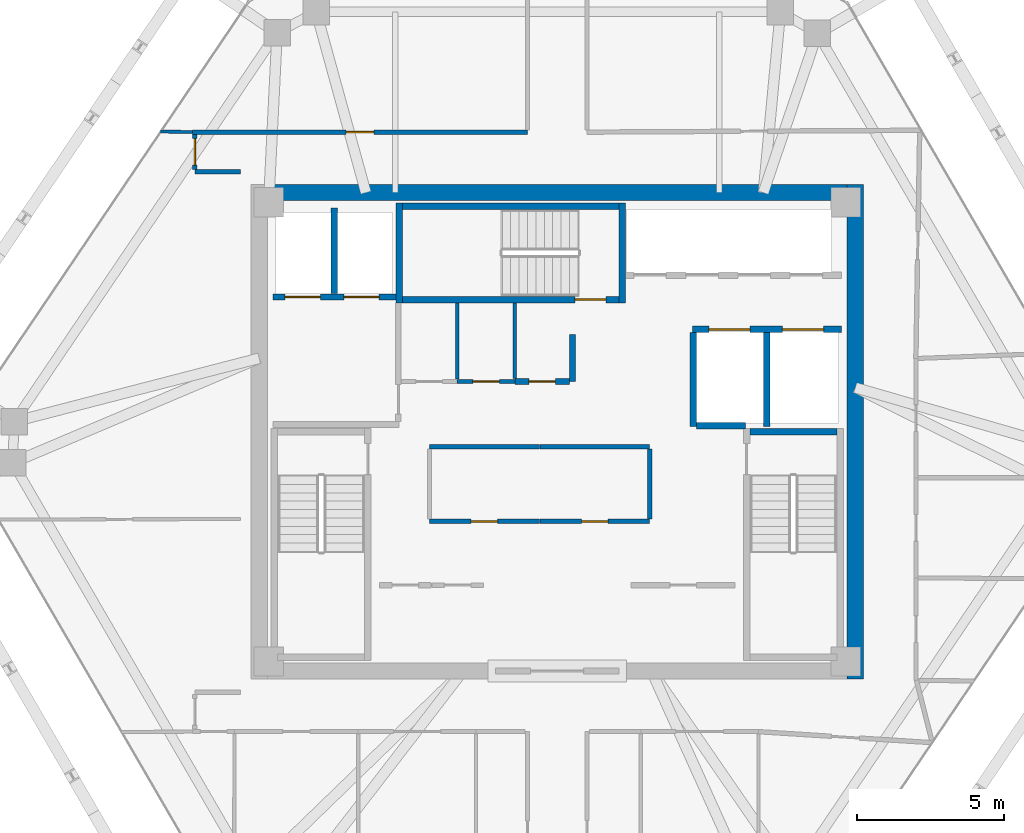
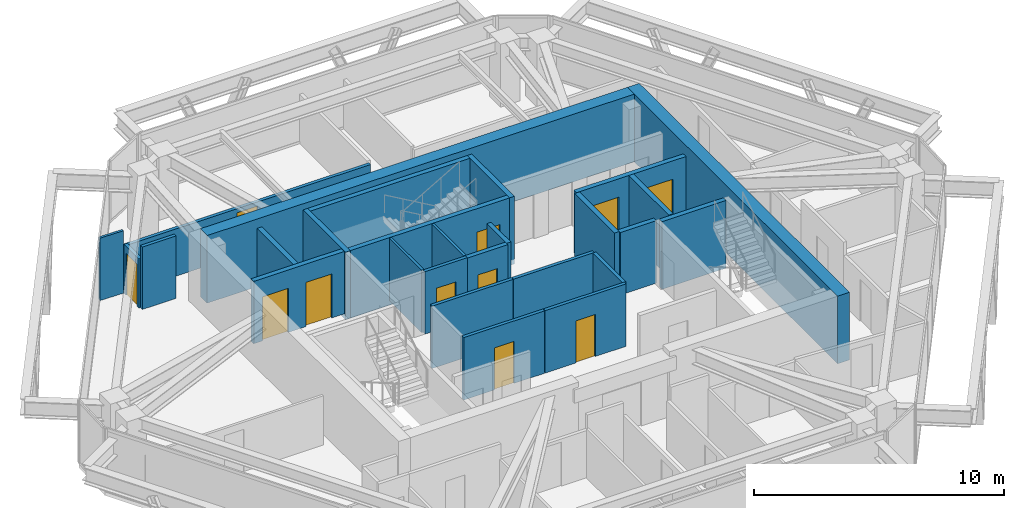
# One storey, part 9 of 11: 27 walls, 11 doors, 11 openings.
"""IFC4 building model written with IfcOpenShell, lengths in metres."""

from ifc_helpers import new_model, si_unit, direction, frame, frame_2d, origin, place, context, subcontext, project, spatial, rectangle, extrude, source, transform, mapped, material, layer, layer_set, type_object, type_shapes, element, fill, save


model = new_model("IFC4")

# Units and contexts
model_context = context("Model", 3, precision=1e-05, world=origin(), true_north=direction((0.0, 1.0)))
body_context = subcontext(model_context, "Body", "Model", "MODEL_VIEW")
ifc_project = project(units=[si_unit("LENGTHUNIT", "METRE"), si_unit("AREAUNIT", "SQUARE_METRE"), si_unit("VOLUMEUNIT", "CUBIC_METRE"), si_unit("PLANEANGLEUNIT", "RADIAN"), si_unit("MASSUNIT", "GRAM", prefix="KILO")], contexts=[model_context])

# Site, building, storey
site_placement = place(None, origin())
site = spatial("IfcSite", under=ifc_project, at=site_placement, CompositionType="ELEMENT")
building_placement = place(site_placement, origin())
building = spatial("IfcBuilding", under=site, at=building_placement, Name="Durnholm Broadcast Tower", CompositionType="ELEMENT")
storey_placement = place(building_placement, frame((0.0, 0.0, 244.699951171875)))
storey = spatial("IfcBuildingStorey", under=building, at=storey_placement, Name="L68", CompositionType="ELEMENT", Elevation=244.699951171875)

# Walls
ifc_material_1 = material(Name="Concrete C70/85", Category="concrete")
ifc_layer_1 = layer(ifc_material_1, 0.550048828125)
ifc_layer_set_1 = layer_set([ifc_layer_1], Name="Concrete C70/85")
wall_type_1 = type_object("IfcWallType", Name="WALL-CW-550", PredefinedType="SHEAR", material=ifc_layer_set_1)
wall_1_placement = place(storey_placement, frame((10.125, -8.39990234375, 0.0), z_axis=(0.0, 0.0, 1.0), x_axis=(0.0, 1.0, 0.0)))
element("IfcWall", 1, at=wall_1_placement, inside=storey, type_object=wall_type_1, Name="L68 central core shear wall CW-EAST", PredefinedType="SHEAR", context=body_context, shape_type="SweptSolid", body=[
    extrude(rectangle(XDim=16.7998046875, YDim=0.550048828125, at=frame_2d((8.39990234375, 0.0))), origin(), (0.0, 0.0, 1.0), 3.300048828125),
])
wall_2_placement = place(storey_placement, frame((-9.85009765625, 8.125, 0.0), z_axis=(0.0, 0.0, 1.0), x_axis=(1.0, 0.0, 0.0)))
element("IfcWall", 2, at=wall_2_placement, inside=storey, type_object=wall_type_1, Name="L68 central core shear wall CW-N", PredefinedType="SHEAR", context=body_context, shape_type="SweptSolid", body=[
    extrude(rectangle(XDim=19.7001953125, YDim=0.550048828125, at=frame_2d((9.85009765625, 0.0))), origin(), (0.0, 0.0, 1.0), 3.300048828125),
])
ifc_material_2 = material(Name="Fire-Rated Gypsum Shaftwall", Category="concrete")
ifc_layer_2 = layer(ifc_material_2, 0.199951171875)
ifc_layer_set_2 = layer_set([ifc_layer_2], Name="Fire-Rated Gypsum Shaftwall")
wall_type_2 = type_object("IfcWallType", Name="WALL-LOB-200", PredefinedType="SOLIDWALL", material=ifc_layer_set_2)
wall_3_placement = place(storey_placement, frame((0.52001953125, 3.300048828125, 0.0), z_axis=(0.0, 0.0, 1.0), x_axis=(0.0, -1.0, 0.0)))
element("IfcWall", 3, at=wall_3_placement, inside=storey, type_object=wall_type_2, Name="L68 Core Telecom Patch Room corridor partition", PredefinedType="SOLIDWALL", context=body_context, shape_type="SweptSolid", body=[
    extrude(rectangle(XDim=1.590087890625, YDim=0.199951171875, at=frame_2d((0.794921875, 0.0))), origin(), (0.0, 0.0, 1.0), 3.045166015625),
])

# Wall, opening, door
wall_4_placement = place(storey_placement, frame((0.416015625, 1.7099609375, 0.0), z_axis=(0.0, 0.0, 1.0), x_axis=(-1.0, 0.0, 0.0)))
wall_4 = element("IfcWall", 4, at=wall_4_placement, inside=storey, type_object=wall_type_2, Name="L68 Core Telecom Patch Room corridor partition", PredefinedType="SOLIDWALL", context=body_context, shape_type="SweptSolid", body=[
    extrude(rectangle(XDim=1.85595703125, YDim=0.199951171875, at=frame_2d((0.927978515625, 0.0))), origin(), (0.0, 0.0, 1.0), 3.045166015625),
])
opening_1_placement = place(wall_4_placement, frame((0.47802734375, 0.0, 0.0)))
opening_1 = element("IfcOpeningElement", 5, at=opening_1_placement, cuts=wall_4, Name="Opening DC-60R", PredefinedType="OPENING", context=body_context, shape_type="SweptSolid", body=[
    extrude(rectangle(XDim=0.89990234375, YDim=2.050048828125, at=frame_2d((0.449951171875, 1.02490234375))), frame((0.0, 0.10986328125, 0.0), z_axis=(0.0, -1.0, 0.0), x_axis=(1.0, 0.0, 0.0)), (0.0, 0.0, 1.0), 0.219970703125),
])
ifc_material_3 = material(Name="Fire-Rated Core Service Door", Category="steel")
ifc_layer_3 = layer(ifc_material_3, 0.050048828125)
ifc_layer_set_3 = layer_set([ifc_layer_3], Name="Fire-Rated Core Service Door")
door_type_1 = type_object("IfcDoorType", Name="DOOR-CORE-FD60-R", OperationType="NOTDEFINED", PredefinedType="DOOR", material=ifc_layer_set_3)
shared_shape_1 = source(origin(), body_context, "Body", "SweptSolid", [
    extrude(rectangle(XDim=0.89990234375, YDim=2.050048828125, at=frame_2d((0.449951171875, 1.02490234375))), frame((0.0, 0.02490234375, 0.0), z_axis=(0.0, -1.0, 0.0), x_axis=(1.0, 0.0, 0.0)), (0.0, 0.0, 1.0), 0.050048828125),
])
type_shapes(door_type_1, [shared_shape_1])
door_1_placement = place(opening_1_placement, origin())
door_1 = element("IfcDoor", 6, at=door_1_placement, inside=storey, type_object=door_type_1, Name="L68 Core Telecom Patch Room entrance door", OperationType="SINGLE_SWING_RIGHT", OverallHeight=2.050048828125, OverallWidth=0.89990234375, PredefinedType="DOOR", context=body_context, shape_type="MappedRepresentation", body=[
    mapped(shared_shape_1, transform((0.0, 0.0, 0.0), x_axis=(1.0, 0.0, 0.0), y_axis=(0.0, 1.0, 0.0), z_axis=(0.0, 0.0, 1.0), scale=1.0)),
])
fill(opening_1, door_1)

# Walls
ifc_material_4 = material(Name="Operable Acoustic Panel Partition", Category="aluminium")
ifc_layer_4 = layer(ifc_material_4, 0.110107421875)
ifc_layer_set_4 = layer_set([ifc_layer_4], Name="Operable Acoustic Panel Partition")
wall_type_3 = type_object("IfcWallType", Name="WALL-MOV-110", PredefinedType="MOVABLE", material=ifc_layer_set_4)
wall_5_placement = place(storey_placement, frame((-3.39990234375, 4.375, 0.0), z_axis=(0.0, 0.0, 1.0), x_axis=(0.0, -1.0, 0.0)))
element("IfcWall", 7, at=wall_5_placement, inside=storey, type_object=wall_type_3, Name="L68 room dividing partition 6.7", PredefinedType="MOVABLE", context=body_context, shape_type="SweptSolid", body=[
    extrude(rectangle(XDim=2.5859375, YDim=0.110107421875, at=frame_2d((1.29296875, 0.0))), origin(), (0.0, 0.0, 1.0), 3.045166015625),
])
wall_6_placement = place(storey_placement, frame((-1.43994140625, 4.375, 0.0), z_axis=(0.0, 0.0, 1.0), x_axis=(0.0, -1.0, 0.0)))
element("IfcWall", 8, at=wall_6_placement, inside=storey, type_object=wall_type_3, Name="L68 room dividing partition 7.8", PredefinedType="MOVABLE", context=body_context, shape_type="SweptSolid", body=[
    extrude(rectangle(XDim=2.56103515625, YDim=0.110107421875, at=frame_2d((1.280517578125, 0.0))), origin(), (0.0, 0.0, 1.0), 3.045166015625),
])
wall_7_placement = place(storey_placement, frame((-12.389892578125, 10.181396484375, 0.0), z_axis=(0.0, 0.0, 1.0), x_axis=(-0.999812128272, 0.019383192748, 0.0)))
element("IfcWall", 9, at=wall_7_placement, inside=storey, type_object=wall_type_3, Name="L68 room dividing partition 12.23", PredefinedType="MOVABLE", context=body_context, shape_type="SweptSolid", body=[
    extrude(rectangle(XDim=1.083251953125, YDim=0.110107421875, at=frame_2d((0.54150390625, 0.0))), origin(), (0.0, 0.0, 1.0), 3.045166015625),
])

# Wall, opening, door
ifc_material_5 = material(Name="Acoustic Gypsum Stud Partition", Category="concrete")
ifc_layer_5 = layer(ifc_material_5, 0.14990234375)
ifc_layer_set_5 = layer_set([ifc_layer_5], Name="Acoustic Gypsum Stud Partition")
wall_type_4 = type_object("IfcWallType", Name="WALL-PART-150", PredefinedType="PARTITIONING", material=ifc_layer_set_5)
wall_8_placement = place(storey_placement, frame((-0.610107421875, -3.0400390625, 0.0), z_axis=(0.0, 0.0, 1.0), x_axis=(-1.0, 0.0, 0.0)))
wall_8 = element("IfcWall", 10, at=wall_8_placement, inside=storey, type_object=wall_type_4, Name="L68 Digital Tape Archive Store corridor partition", PredefinedType="PARTITIONING", context=body_context, shape_type="SweptSolid", body=[
    extrude(rectangle(XDim=3.72998046875, YDim=0.14990234375, at=frame_2d((1.864990234375, 0.0))), origin(), (0.0, 0.0, 1.0), 3.045166015625),
])
opening_2_placement = place(wall_8_placement, frame((1.4150390625, 0.0, 0.0)))
opening_2 = element("IfcOpeningElement", 11, at=opening_2_placement, cuts=wall_8, Name="Opening DC-60R", PredefinedType="OPENING", context=body_context, shape_type="SweptSolid", body=[
    extrude(rectangle(XDim=0.89990234375, YDim=2.050048828125, at=frame_2d((0.449951171875, 1.02490234375))), frame((0.0, 0.0849609375, 0.0), z_axis=(0.0, -1.0, 0.0), x_axis=(1.0, 0.0, 0.0)), (0.0, 0.0, 1.0), 0.169921875),
])
door_2_placement = place(opening_2_placement, origin())
door_2 = element("IfcDoor", 12, at=door_2_placement, inside=storey, type_object=door_type_1, Name="L68 Digital Tape Archive Store entrance door", OperationType="SINGLE_SWING_RIGHT", OverallHeight=2.050048828125, OverallWidth=0.89990234375, PredefinedType="DOOR", context=body_context, shape_type="MappedRepresentation", body=[
    mapped(shared_shape_1, transform((0.0, 0.0, 0.0), x_axis=(1.0, 0.0, 0.0), y_axis=(0.0, 1.0, 0.0), z_axis=(0.0, 0.0, 1.0), scale=1.0)),
])
fill(opening_2, door_2)

# Wall
wall_9_placement = place(storey_placement, frame((-4.340087890625, -0.510009765625, 0.0), z_axis=(0.0, 0.0, 1.0), x_axis=(1.0, 0.0, 0.0)))
element("IfcWall", 13, at=wall_9_placement, inside=storey, type_object=wall_type_4, Name="L68 Digital Tape Archive Store corridor partition", PredefinedType="PARTITIONING", context=body_context, shape_type="SweptSolid", body=[
    extrude(rectangle(XDim=3.72998046875, YDim=0.14990234375, at=frame_2d((1.864990234375, 0.0))), origin(), (0.0, 0.0, 1.0), 3.045166015625),
])

# Wall, opening, door
wall_10_placement = place(storey_placement, frame((3.139892578125, -3.0400390625, 0.0), z_axis=(0.0, 0.0, 1.0), x_axis=(-1.0, 0.0, 0.0)))
wall_10 = element("IfcWall", 14, at=wall_10_placement, inside=storey, type_object=wall_type_4, Name="L68 High-Rise Refreshment Pantry corridor partition", PredefinedType="PARTITIONING", context=body_context, shape_type="SweptSolid", body=[
    extrude(rectangle(XDim=3.72998046875, YDim=0.14990234375, at=frame_2d((1.864990234375, 0.0))), origin(), (0.0, 0.0, 1.0), 3.045166015625),
])
opening_3_placement = place(wall_10_placement, frame((1.4150390625, 0.0, 0.0)))
opening_3 = element("IfcOpeningElement", 15, at=opening_3_placement, cuts=wall_10, Name="Opening DC-60L", PredefinedType="OPENING", context=body_context, shape_type="SweptSolid", body=[
    extrude(rectangle(XDim=0.89990234375, YDim=2.050048828125, at=frame_2d((0.449951171875, 1.02490234375))), frame((0.0, 0.0849609375, 0.0), z_axis=(0.0, -1.0, 0.0), x_axis=(1.0, 0.0, 0.0)), (0.0, 0.0, 1.0), 0.169921875),
])
ifc_layer_6 = layer(ifc_material_3, 0.050048828125)
ifc_layer_set_6 = layer_set([ifc_layer_6], Name="Fire-Rated Core Service Door")
door_type_2 = type_object("IfcDoorType", Name="DOOR-CORE-FD60-L", OperationType="NOTDEFINED", PredefinedType="DOOR", material=ifc_layer_set_6)
shared_shape_2 = source(origin(), body_context, "Body", "SweptSolid", [
    extrude(rectangle(XDim=0.89990234375, YDim=2.050048828125, at=frame_2d((0.449951171875, 1.02490234375))), frame((0.0, 0.02490234375, 0.0), z_axis=(0.0, -1.0, 0.0), x_axis=(1.0, 0.0, 0.0)), (0.0, 0.0, 1.0), 0.050048828125),
])
type_shapes(door_type_2, [shared_shape_2])
door_3_placement = place(opening_3_placement, origin())
door_3 = element("IfcDoor", 16, at=door_3_placement, inside=storey, type_object=door_type_2, Name="L68 High-Rise Refreshment Pantry entrance door", OperationType="SINGLE_SWING_LEFT", OverallHeight=2.050048828125, OverallWidth=0.89990234375, PredefinedType="DOOR", context=body_context, shape_type="MappedRepresentation", body=[
    mapped(shared_shape_2, transform((0.0, 0.0, 0.0), x_axis=(1.0, 0.0, 0.0), y_axis=(0.0, 1.0, 0.0), z_axis=(0.0, 0.0, 1.0), scale=1.0)),
])
fill(opening_3, door_3)

# Walls
wall_11_placement = place(storey_placement, frame((-0.590087890625, -0.510009765625, 0.0), z_axis=(0.0, 0.0, 1.0), x_axis=(1.0, 0.0, 0.0)))
element("IfcWall", 17, at=wall_11_placement, inside=storey, type_object=wall_type_4, Name="L68 High-Rise Refreshment Pantry corridor partition", PredefinedType="PARTITIONING", context=body_context, shape_type="SweptSolid", body=[
    extrude(rectangle(XDim=3.72998046875, YDim=0.14990234375, at=frame_2d((1.864990234375, 0.0))), origin(), (0.0, 0.0, 1.0), 3.045166015625),
])
wall_12_placement = place(storey_placement, frame((3.139892578125, -0.589111328125, 0.0), z_axis=(0.0, 0.0, 1.0), x_axis=(0.0, -1.0, 0.0)))
element("IfcWall", 18, at=wall_12_placement, inside=storey, type_object=wall_type_4, Name="L68 High-Rise Refreshment Pantry corridor partition", PredefinedType="PARTITIONING", context=body_context, shape_type="SweptSolid", body=[
    extrude(rectangle(XDim=2.371826171875, YDim=0.14990234375, at=frame_2d((1.18603515625, 0.0))), origin(), (0.0, 0.0, 1.0), 3.045166015625),
])

# Wall, opening, door
wall_13_placement = place(storey_placement, frame((-1.43994140625, 1.7099609375, 0.0), z_axis=(0.0, 0.0, 1.0), x_axis=(-1.0, 0.0, 0.0)))
wall_13 = element("IfcWall", 19, at=wall_13_placement, inside=storey, type_object=wall_type_4, Name="L68 Core Janitor Supply Closet corridor partition", PredefinedType="PARTITIONING", context=body_context, shape_type="SweptSolid", body=[
    extrude(rectangle(XDim=1.9599609375, YDim=0.14990234375, at=frame_2d((0.97998046875, 0.0))), origin(), (0.0, 0.0, 1.0), 3.045166015625),
])
opening_4_placement = place(wall_13_placement, frame((0.530029296875, 0.0, 0.0)))
opening_4 = element("IfcOpeningElement", 20, at=opening_4_placement, cuts=wall_13, Name="Opening DC-60L", PredefinedType="OPENING", context=body_context, shape_type="SweptSolid", body=[
    extrude(rectangle(XDim=0.89990234375, YDim=2.050048828125, at=frame_2d((0.449951171875, 1.02490234375))), frame((0.0, 0.0849609375, 0.0), z_axis=(0.0, -1.0, 0.0), x_axis=(1.0, 0.0, 0.0)), (0.0, 0.0, 1.0), 0.169921875),
])
door_4_placement = place(opening_4_placement, origin())
door_4 = element("IfcDoor", 21, at=door_4_placement, inside=storey, type_object=door_type_2, Name="L68 Core Janitor Supply Closet entrance door", OperationType="SINGLE_SWING_LEFT", OverallHeight=2.050048828125, OverallWidth=0.89990234375, PredefinedType="DOOR", context=body_context, shape_type="MappedRepresentation", body=[
    mapped(shared_shape_2, transform((0.0, 0.0, 0.0), x_axis=(1.0, 0.0, 0.0), y_axis=(0.0, 1.0, 0.0), z_axis=(0.0, 0.0, 1.0), scale=1.0)),
])
fill(opening_4, door_4)

wall_14_placement = place(storey_placement, frame((-1.010009765625, 10.179931640625, 0.0), z_axis=(0.0, 0.0, 1.0), x_axis=(-1.0, 0.0, 0.0)))
wall_14 = element("IfcWall", 22, at=wall_14_placement, inside=storey, type_object=wall_type_4, Name="L68 Open Plan Broadcast Workspace 2 corridor partition", PredefinedType="PARTITIONING", context=body_context, shape_type="SweptSolid", body=[
    extrude(rectangle(XDim=11.3798828125, YDim=0.14990234375, at=frame_2d((5.68994140625, 0.0))), origin(), (0.0, 0.0, 1.0), 2.30126953125),
])
opening_5_placement = place(wall_14_placement, frame((5.215087890625, 0.0, 0.0)))
opening_5 = element("IfcOpeningElement", 23, at=opening_5_placement, cuts=wall_14, Name="Opening DR-95R", PredefinedType="OPENING", context=body_context, shape_type="SweptSolid", body=[
    extrude(rectangle(XDim=0.949951171875, YDim=2.10009765625, at=frame_2d((0.47509765625, 1.050048828125))), frame((0.0, 0.0849609375, 0.0), z_axis=(0.0, -1.0, 0.0), x_axis=(1.0, 0.0, 0.0)), (0.0, 0.0, 1.0), 0.169921875),
])
ifc_material_6 = material(Name="Acoustic Oak Veneer Timber Door", Category="wood")
ifc_layer_7 = layer(ifc_material_6, 0.050048828125)
ifc_layer_set_7 = layer_set([ifc_layer_7], Name="Acoustic Oak Veneer Timber Door")
door_type_3 = type_object("IfcDoorType", Name="DOOR-RM-950R", OperationType="NOTDEFINED", PredefinedType="DOOR", material=ifc_layer_set_7)
shared_shape_3 = source(origin(), body_context, "Body", "SweptSolid", [
    extrude(rectangle(XDim=0.949951171875, YDim=2.10009765625, at=frame_2d((0.47509765625, 1.050048828125))), frame((0.0, 0.02490234375, 0.0), z_axis=(0.0, -1.0, 0.0), x_axis=(1.0, 0.0, 0.0)), (0.0, 0.0, 1.0), 0.050048828125),
])
type_shapes(door_type_3, [shared_shape_3])
door_5_placement = place(opening_5_placement, origin())
door_5 = element("IfcDoor", 24, at=door_5_placement, inside=storey, type_object=door_type_3, Name="L68 Open Plan Broadcast Workspace 2 entrance door", OperationType="SINGLE_SWING_RIGHT", OverallHeight=2.10009765625, OverallWidth=0.949951171875, PredefinedType="DOOR", context=body_context, shape_type="MappedRepresentation", body=[
    mapped(shared_shape_3, transform((0.0, 0.0, 0.0), x_axis=(1.0, 0.0, 0.0), y_axis=(0.0, 1.0, 0.0), z_axis=(0.0, 0.0, 1.0), scale=1.0)),
])
fill(opening_5, door_5)

# Wall
wall_15_placement = place(storey_placement, frame((-12.31005859375, 8.840087890625, 0.0), z_axis=(0.0, 0.0, 1.0), x_axis=(1.0, 0.0, 0.0)))
element("IfcWall", 25, at=wall_15_placement, inside=storey, type_object=wall_type_4, Name="L68 Press Colloquium Hall corridor partition", PredefinedType="PARTITIONING", context=body_context, shape_type="SweptSolid", body=[
    extrude(rectangle(XDim=1.550048828125, YDim=0.14990234375, at=frame_2d((0.77490234375, 0.0))), origin(), (0.0, 0.0, 1.0), 3.045166015625),
])

# Wall, opening, door
wall_16_placement = place(storey_placement, frame((-12.31005859375, 10.10107421875, 0.0), z_axis=(0.0, 0.0, 1.0), x_axis=(0.0, -1.0, 0.0)))
wall_16 = element("IfcWall", 26, at=wall_16_placement, inside=storey, type_object=wall_type_4, Name="L68 Press Colloquium Hall corridor partition", PredefinedType="PARTITIONING", context=body_context, shape_type="SweptSolid", body=[
    extrude(rectangle(XDim=1.18212890625, YDim=0.14990234375, at=frame_2d((0.591064453125, 0.0))), origin(), (0.0, 0.0, 1.0), 2.39892578125),
])
opening_6_placement = place(wall_16_placement, frame((0.14111328125, 0.0, 0.0)))
opening_6 = element("IfcOpeningElement", 27, at=opening_6_placement, cuts=wall_16, Name="Opening DW-90R", PredefinedType="OPENING", context=body_context, shape_type="SweptSolid", body=[
    extrude(rectangle(XDim=0.89990234375, YDim=2.050048828125, at=frame_2d((0.449951171875, 1.02490234375))), frame((0.0, 0.0849609375, 0.0), z_axis=(0.0, -1.0, 0.0), x_axis=(1.0, 0.0, 0.0)), (0.0, 0.0, 1.0), 0.169921875),
])
ifc_material_7 = material(Name="Laminate Restroom Door", Category="steel")
ifc_layer_8 = layer(ifc_material_7, 0.050048828125)
ifc_layer_set_8 = layer_set([ifc_layer_8], Name="Laminate Restroom Door")
door_type_4 = type_object("IfcDoorType", Name="DOOR-WC-900R", OperationType="NOTDEFINED", PredefinedType="DOOR", material=ifc_layer_set_8)
shared_shape_4 = source(origin(), body_context, "Body", "SweptSolid", [
    extrude(rectangle(XDim=0.89990234375, YDim=2.050048828125, at=frame_2d((0.449951171875, 1.02490234375))), frame((0.0, 0.02490234375, 0.0), z_axis=(0.0, -1.0, 0.0), x_axis=(1.0, 0.0, 0.0)), (0.0, 0.0, 1.0), 0.050048828125),
])
type_shapes(door_type_4, [shared_shape_4])
door_6_placement = place(opening_6_placement, origin())
door_6 = element("IfcDoor", 28, at=door_6_placement, inside=storey, type_object=door_type_4, Name="L68 Press Colloquium Hall entrance door", OperationType="SINGLE_SWING_RIGHT", OverallHeight=2.050048828125, OverallWidth=0.89990234375, PredefinedType="DOOR", context=body_context, shape_type="MappedRepresentation", body=[
    mapped(shared_shape_4, transform((0.0, 0.0, 0.0), x_axis=(1.0, 0.0, 0.0), y_axis=(0.0, 1.0, 0.0), z_axis=(0.0, 0.0, 1.0), scale=1.0)),
])
fill(opening_6, door_6)

# Wall, openings, doors
ifc_material_8 = material(Name="Concrete Blockwork C30/37", Category="masonry")
ifc_layer_9 = layer(ifc_material_8, 0.219970703125)
ifc_layer_set_9 = layer_set([ifc_layer_9], Name="Concrete Blockwork C30/37")
wall_type_5 = type_object("IfcWallType", Name="WALL-SHAFT-220", PredefinedType="SOLIDWALL", material=ifc_layer_set_9)
wall_17_placement = place(storey_placement, frame((-9.64990234375, 4.580078125, 0.0), z_axis=(0.0, 0.0, 1.0), x_axis=(1.0, 0.0, 0.0)))
wall_17 = element("IfcWall", 29, at=wall_17_placement, inside=storey, type_object=wall_type_5, Name="L68 FSAE hoistway front fire wall", PredefinedType="SOLIDWALL", context=body_context, shape_type="SweptSolid", body=[
    extrude(rectangle(XDim=4.1748046875, YDim=0.219970703125, at=frame_2d((2.08740234375, 0.0))), origin(), (0.0, 0.0, 1.0), 3.045166015625),
])
opening_7_placement = place(wall_17_placement, frame((0.39990234375, 0.0, 0.0)))
opening_7 = element("IfcOpeningElement", 30, at=opening_7_placement, cuts=wall_17, Name="Opening LD-FSAE-2", PredefinedType="OPENING", context=body_context, shape_type="SweptSolid", body=[
    extrude(rectangle(XDim=1.199951171875, YDim=2.14990234375, at=frame_2d((0.60009765625, 1.074951171875))), frame((0.0, 0.1201171875, 0.0), z_axis=(0.0, -1.0, 0.0), x_axis=(1.0, 0.0, 0.0)), (0.0, 0.0, 1.0), 0.239990234375),
])
opening_8_placement = place(wall_17_placement, frame((2.39990234375, 0.0, 0.0)))
opening_8 = element("IfcOpeningElement", 31, at=opening_8_placement, cuts=wall_17, Name="Opening LD-FSAE-1", PredefinedType="OPENING", context=body_context, shape_type="SweptSolid", body=[
    extrude(rectangle(XDim=1.199951171875, YDim=2.14990234375, at=frame_2d((0.60009765625, 1.074951171875))), frame((0.0, 0.1201171875, 0.0), z_axis=(0.0, -1.0, 0.0), x_axis=(1.0, 0.0, 0.0)), (0.0, 0.0, 1.0), 0.239990234375),
])
ifc_material_9 = material(Name="Fire Service Access Sliding Landing Door", Category="steel")
ifc_layer_10 = layer(ifc_material_9, 0.050048828125)
ifc_layer_set_10 = layer_set([ifc_layer_10], Name="Fire Service Access Sliding Landing Door")
door_type_5 = type_object("IfcDoorType", Name="DOOR-LIFT-FSAE", OperationType="DOUBLE_DOOR_SLIDING", PredefinedType="DOOR", material=ifc_layer_set_10)
shared_shape_5 = source(origin(), body_context, "Body", "SweptSolid", [
    extrude(rectangle(XDim=1.199951171875, YDim=2.14990234375, at=frame_2d((0.60009765625, 1.074951171875))), frame((0.0, 0.02490234375, 0.0), z_axis=(0.0, -1.0, 0.0), x_axis=(1.0, 0.0, 0.0)), (0.0, 0.0, 1.0), 0.050048828125),
])
type_shapes(door_type_5, [shared_shape_5])
door_7_placement = place(opening_7_placement, origin())
door_7 = element("IfcDoor", 32, at=door_7_placement, inside=storey, type_object=door_type_5, Name="L68 Fire Service Access Elevator FSAE-2 sliding landing door", OperationType="DOUBLE_DOOR_SLIDING", OverallHeight=2.14990234375, OverallWidth=1.199951171875, PredefinedType="DOOR", context=body_context, shape_type="MappedRepresentation", body=[
    mapped(shared_shape_5, transform((0.0, 0.0, 0.0), x_axis=(1.0, 0.0, 0.0), y_axis=(0.0, 1.0, 0.0), z_axis=(0.0, 0.0, 1.0), scale=1.0)),
])
fill(opening_7, door_7)
door_8_placement = place(opening_8_placement, origin())
door_8 = element("IfcDoor", 33, at=door_8_placement, inside=storey, type_object=door_type_5, Name="L68 Fire Service Access Elevator FSAE-1 sliding landing door", OperationType="DOUBLE_DOOR_SLIDING", OverallHeight=2.14990234375, OverallWidth=1.199951171875, PredefinedType="DOOR", context=body_context, shape_type="MappedRepresentation", body=[
    mapped(shared_shape_5, transform((0.0, 0.0, 0.0), x_axis=(1.0, 0.0, 0.0), y_axis=(0.0, 1.0, 0.0), z_axis=(0.0, 0.0, 1.0), scale=1.0)),
])
fill(opening_8, door_8)

# Wall
wall_18_placement = place(storey_placement, frame((-7.580078125, 4.694091796875, 0.0), z_axis=(0.0, 0.0, 1.0), x_axis=(0.0, 1.0, 0.0)))
element("IfcWall", 34, at=wall_18_placement, inside=storey, type_object=wall_type_5, Name="L68 FSAE shaft divider wall", PredefinedType="SOLIDWALL", context=body_context, shape_type="SweptSolid", body=[
    extrude(rectangle(XDim=2.906005859375, YDim=0.219970703125, at=frame_2d((1.453125, 0.0))), origin(), (0.0, 0.0, 1.0), 3.045166015625),
])

# Wall, openings, doors
wall_19_placement = place(storey_placement, frame((4.60009765625, 3.47998046875, 0.0), z_axis=(0.0, 0.0, 1.0), x_axis=(1.0, 0.0, 0.0)))
wall_19 = element("IfcWall", 35, at=wall_19_placement, inside=storey, type_object=wall_type_5, Name="L68 freight service lifts north front wall", PredefinedType="SOLIDWALL", context=body_context, shape_type="SweptSolid", body=[
    extrude(rectangle(XDim=5.0498046875, YDim=0.219970703125, at=frame_2d((2.52490234375, 0.0))), origin(), (0.0, 0.0, 1.0), 3.045166015625),
])
opening_9_placement = place(wall_19_placement, frame((0.550048828125, 0.0, 0.0)))
opening_9 = element("IfcOpeningElement", 36, at=opening_9_placement, cuts=wall_19, Name="Opening LD-SVL-2", PredefinedType="OPENING", context=body_context, shape_type="SweptSolid", body=[
    extrude(rectangle(XDim=1.39990234375, YDim=2.14990234375, at=frame_2d((0.699951171875, 1.074951171875))), frame((0.0, 0.1201171875, 0.0), z_axis=(0.0, -1.0, 0.0), x_axis=(1.0, 0.0, 0.0)), (0.0, 0.0, 1.0), 0.239990234375),
])
opening_10_placement = place(wall_19_placement, frame((3.050048828125, 0.0, 0.0)))
opening_10 = element("IfcOpeningElement", 37, at=opening_10_placement, cuts=wall_19, Name="Opening LD-SVL-1", PredefinedType="OPENING", context=body_context, shape_type="SweptSolid", body=[
    extrude(rectangle(XDim=1.39990234375, YDim=2.14990234375, at=frame_2d((0.699951171875, 1.074951171875))), frame((0.0, 0.1201171875, 0.0), z_axis=(0.0, -1.0, 0.0), x_axis=(1.0, 0.0, 0.0)), (0.0, 0.0, 1.0), 0.239990234375),
])
ifc_material_10 = material(Name="Freight Elevator Bi-Parting Sliding Landing Door", Category="steel")
ifc_layer_11 = layer(ifc_material_10, 0.050048828125)
ifc_layer_set_11 = layer_set([ifc_layer_11], Name="Freight Elevator Bi-Parting Sliding Landing Door")
door_type_6 = type_object("IfcDoorType", Name="DOOR-LIFT-SVL", OperationType="DOUBLE_DOOR_SLIDING", PredefinedType="DOOR", material=ifc_layer_set_11)
shared_shape_6 = source(origin(), body_context, "Body", "SweptSolid", [
    extrude(rectangle(XDim=1.39990234375, YDim=2.14990234375, at=frame_2d((0.699951171875, 1.074951171875))), frame((0.0, 0.02490234375, 0.0), z_axis=(0.0, -1.0, 0.0), x_axis=(1.0, 0.0, 0.0)), (0.0, 0.0, 1.0), 0.050048828125),
])
type_shapes(door_type_6, [shared_shape_6])
door_9_placement = place(opening_9_placement, origin())
door_9 = element("IfcDoor", 38, at=door_9_placement, inside=storey, type_object=door_type_6, Name="L68 freight service elevator SVL-2 sliding landing door", OperationType="DOUBLE_DOOR_SLIDING", OverallHeight=2.14990234375, OverallWidth=1.39990234375, PredefinedType="DOOR", context=body_context, shape_type="MappedRepresentation", body=[
    mapped(shared_shape_6, transform((0.0, 0.0, 0.0), x_axis=(1.0, 0.0, 0.0), y_axis=(0.0, 1.0, 0.0), z_axis=(0.0, 0.0, 1.0), scale=1.0)),
])
fill(opening_9, door_9)
door_10_placement = place(opening_10_placement, origin())
door_10 = element("IfcDoor", 39, at=door_10_placement, inside=storey, type_object=door_type_6, Name="L68 freight service elevator SVL-1 sliding landing door", OperationType="DOUBLE_DOOR_SLIDING", OverallHeight=2.14990234375, OverallWidth=1.39990234375, PredefinedType="DOOR", context=body_context, shape_type="MappedRepresentation", body=[
    mapped(shared_shape_6, transform((0.0, 0.0, 0.0), x_axis=(1.0, 0.0, 0.0), y_axis=(0.0, 1.0, 0.0), z_axis=(0.0, 0.0, 1.0), scale=1.0)),
])
fill(opening_10, door_10)

# Walls
for number, where, z_axis, x_axis, name in (
    (40, (4.6201171875, 0.179931640625, 0.0), (0.0, 0.0, 1.0), (0.0, 1.0, 0.0), "L68 freight service lift SVL-2 west wall"),
    (41, (7.1201171875, 0.179931640625, 0.0), (0.0, 0.0, 1.0), (0.0, 1.0, 0.0), "L68 freight service lifts divider wall"),
):
    element("IfcWall", number, at=place(storey_placement, frame(where, z_axis=z_axis, x_axis=x_axis)), inside=storey, type_object=wall_type_5, Name=name, PredefinedType="SOLIDWALL", context=body_context, shape_type="SweptSolid", body=[
        extrude(rectangle(XDim=3.18603515625, YDim=0.219970703125, at=frame_2d((1.593017578125, 0.0))), origin(), (0.0, 0.0, 1.0), 3.045166015625),
    ])
wall_20_placement = place(storey_placement, frame((4.73388671875, 0.199951171875, 0.0), z_axis=(0.0, 0.0, 1.0), x_axis=(1.0, 0.0, 0.0)))
element("IfcWall", 42, at=wall_20_placement, inside=storey, type_object=wall_type_5, Name="L68 freight service lift SVL-2 south wall", PredefinedType="SOLIDWALL", context=body_context, shape_type="SweptSolid", body=[
    extrude(rectangle(XDim=1.666015625, YDim=0.219970703125, at=frame_2d((0.8330078125, 0.0))), origin(), (0.0, 0.0, 1.0), 3.045166015625),
])
ifc_material_11 = material(Name="Concrete C50/60", Category="concrete")
ifc_layer_12 = layer(ifc_material_11, 0.219970703125)
ifc_layer_set_12 = layer_set([ifc_layer_12], Name="Concrete C50/60")
wall_type_6 = type_object("IfcWallType", Name="WALL-SW-220", PredefinedType="SHEAR", material=ifc_layer_set_12)
wall_21_placement = place(storey_placement, frame((9.5, 0.010009765625, -0.239990234375), z_axis=(0.0, 0.0, 1.0), x_axis=(-1.0, 0.0, 0.0)))
element("IfcWall", 43, at=wall_21_placement, inside=storey, type_object=wall_type_6, Name="L68 stair ST-2 structural shaft wall N", PredefinedType="SHEAR", context=body_context, shape_type="SweptSolid", body=[
    extrude(rectangle(XDim=2.9599609375, YDim=0.219970703125, at=frame_2d((1.47998046875, 0.0))), origin(), (0.0, 0.0, 1.0), 3.300048828125),
])
for number, where, z_axis, x_axis, name in (
    (44, (2.2099609375, 4.3798828125, -0.239990234375), (0.0, 0.0, 1.0), (0.0, 1.0, 0.0), "L68 stair ST-3 structural shaft wall E"),
    (45, (-5.360107421875, 7.780029296875, -0.239990234375), (0.0, 0.0, 1.0), (0.0, -1.0, 0.0), "L68 stair ST-3 structural shaft wall W"),
):
    element("IfcWall", number, at=place(storey_placement, frame(where, z_axis=z_axis, x_axis=x_axis)), inside=storey, type_object=wall_type_6, Name=name, PredefinedType="SHEAR", context=body_context, shape_type="SweptSolid", body=[
        extrude(rectangle(XDim=3.400146484375, YDim=0.219970703125, at=frame_2d((1.7001953125, 0.0))), origin(), (0.0, 0.0, 1.0), 3.300048828125),
    ])

# Wall, opening, door
wall_22_placement = place(storey_placement, frame((-5.25, 4.489990234375, -0.239990234375), z_axis=(0.0, 0.0, 1.0), x_axis=(1.0, 0.0, 0.0)))
wall_22 = element("IfcWall", 46, at=wall_22_placement, inside=storey, type_object=wall_type_6, Name="L68 stair ST-3 structural shaft wall S", PredefinedType="SHEAR", context=body_context, shape_type="SweptSolid", body=[
    extrude(rectangle(XDim=7.35009765625, YDim=0.219970703125, at=frame_2d((3.675048828125, 0.0))), origin(), (0.0, 0.0, 1.0), 3.300048828125),
])
opening_11_placement = place(wall_22_placement, frame((5.85009765625, 0.0, 0.0)))
opening_11 = element("IfcOpeningElement", 47, at=opening_11_placement, cuts=wall_22, Name="Opening DS-90L", PredefinedType="OPENING", context=body_context, shape_type="SweptSolid", body=[
    extrude(rectangle(XDim=1.050048828125, YDim=2.14990234375, at=frame_2d((0.52490234375, 1.074951171875))), frame((0.0, 0.1201171875, 0.0), z_axis=(0.0, -1.0, 0.0), x_axis=(1.0, 0.0, 0.0)), (0.0, 0.0, 1.0), 0.239990234375),
])
ifc_material_12 = material(Name="Fire-Rated Steel Door", Category="steel")
ifc_layer_13 = layer(ifc_material_12, 0.050048828125)
ifc_layer_set_13 = layer_set([ifc_layer_13], Name="Fire-Rated Steel Door")
door_type_7 = type_object("IfcDoorType", Name="DOOR-ST-FD90-L", OperationType="NOTDEFINED", PredefinedType="DOOR", material=ifc_layer_set_13)
shared_shape_7 = source(origin(), body_context, "Body", "SweptSolid", [
    extrude(rectangle(XDim=1.050048828125, YDim=2.14990234375, at=frame_2d((0.52490234375, 1.074951171875))), frame((0.0, 0.02490234375, 0.0), z_axis=(0.0, -1.0, 0.0), x_axis=(1.0, 0.0, 0.0)), (0.0, 0.0, 1.0), 0.050048828125),
])
type_shapes(door_type_7, [shared_shape_7])
door_11_placement = place(opening_11_placement, origin())
door_11 = element("IfcDoor", 48, at=door_11_placement, inside=storey, type_object=door_type_7, Name="L68 exit stair ST-3 fire door", OperationType="SINGLE_SWING_LEFT", OverallHeight=2.14990234375, OverallWidth=1.050048828125, PredefinedType="DOOR", context=body_context, shape_type="MappedRepresentation", body=[
    mapped(shared_shape_7, transform((0.0, 0.0, 0.0), x_axis=(1.0, 0.0, 0.0), y_axis=(0.0, 1.0, 0.0), z_axis=(0.0, 0.0, 1.0), scale=1.0)),
])
fill(opening_11, door_11)

# Wall
wall_23_placement = place(storey_placement, frame((2.10009765625, 7.669921875, -0.239990234375), z_axis=(0.0, 0.0, 1.0), x_axis=(-1.0, 0.0, 0.0)))
element("IfcWall", 49, at=wall_23_placement, inside=storey, type_object=wall_type_6, Name="L68 stair ST-3 structural shaft wall N", PredefinedType="SHEAR", context=body_context, shape_type="SweptSolid", body=[
    extrude(rectangle(XDim=7.35009765625, YDim=0.219970703125, at=frame_2d((3.675048828125, 0.0))), origin(), (0.0, 0.0, 1.0), 3.300048828125),
])

save(model, "model.ifc")
